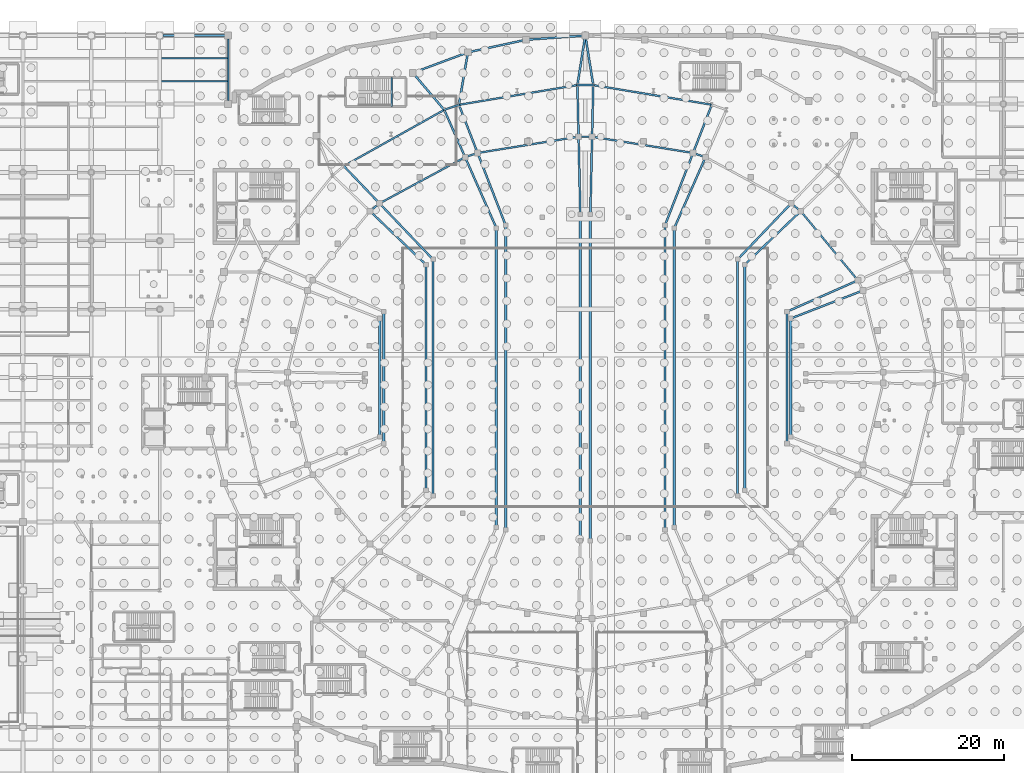
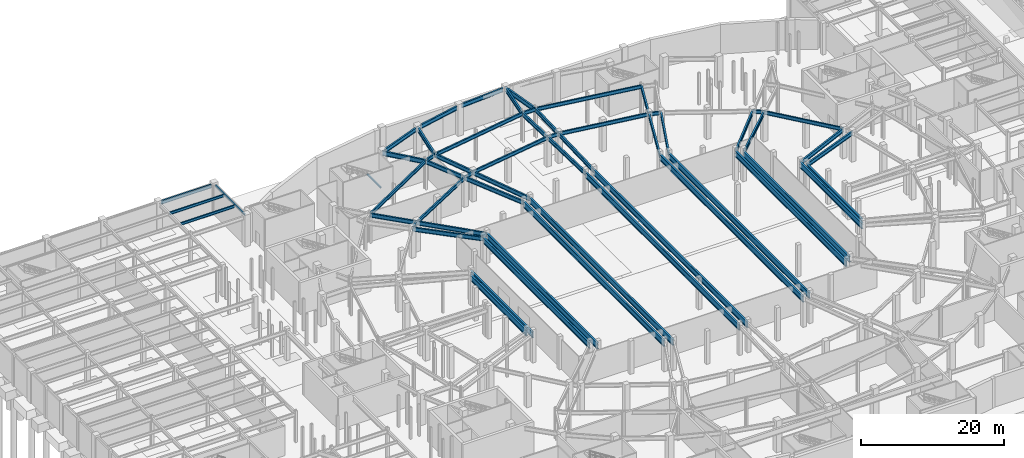
# One storey, part 36 of 56: 58 beams.
"""IFC4 building model written with IfcOpenShell, lengths in metres."""

import ifcopenshell
import ifcopenshell.guid

model = None  # the IFC model being written
_history = None  # IfcOwnerHistory: only IFC2X3 demands one
_inside = {}  # id of a spatial element -> (the spatial element, [elements in it])
_under = {}  # id of a project, library or spatial element -> (it, [spatial elements below it])
_declared = {}  # id of a project -> (the project, [libraries it declares])
_typed = {}  # id of a type object -> (the type object, [elements of that type])
_made_of = {}  # id of a material, layer set ... -> (it, [elements and type objects made of it])


def new_model(schema):
    """Start an empty IFC model of exactly this schema.

    Asked for "IFC4X3", IfcOpenShell would pick the latest addendum, in which some entities
    have other attributes; the version numbers below select the first issue.
    IFC2X3 requires an IfcOwnerHistory on every rooted entity: one is made here for all.
    """
    global model, _history
    if schema == "IFC4X3":
        model = ifcopenshell.file(schema_version=(4, 3, 0, 0))
    else:
        model = ifcopenshell.file(schema=schema)
    _inside.clear()
    _under.clear()
    _declared.clear()
    _typed.clear()
    _made_of.clear()
    _history = None
    if model.schema == "IFC2X3":
        org = make("IfcOrganization", Name="unknown")
        user = make(
            "IfcPersonAndOrganization",
            ThePerson=make("IfcPerson", FamilyName="unknown"),
            TheOrganization=org,
        )
        app = make(
            "IfcApplication",
            ApplicationDeveloper=org,
            Version="unknown",
            ApplicationFullName="unknown",
            ApplicationIdentifier="unknown",
        )
        _history = make(
            "IfcOwnerHistory",
            OwningUser=user,
            OwningApplication=app,
            ChangeAction="ADDED",
            CreationDate=0,
        )
    return model


def make(cls, **values):
    """One entity of the class cls with the attributes given. An attribute that is None is left unset."""
    return model.create_entity(
        cls, **{name: value for name, value in values.items() if value is not None}
    )


def rooted(cls, **values):
    """An entity with a GlobalId (a new one), such as an element, a storey or a relation."""
    return make(cls, GlobalId=ifcopenshell.guid.new(), OwnerHistory=_history, **values)


def si_unit(unit_type, name, prefix=None):
    """IfcSIUnit, for example si_unit("LENGTHUNIT", "METRE", prefix="MILLI")."""
    return make("IfcSIUnit", UnitType=unit_type, Prefix=prefix, Name=name)


def assignment(units):
    """IfcUnitAssignment: the units of a project."""
    return None if units is None else make("IfcUnitAssignment", Units=units)


def point(xyz):
    """IfcCartesianPoint."""
    return None if xyz is None else make("IfcCartesianPoint", Coordinates=xyz)


def direction(xyz):
    """IfcDirection."""
    return None if xyz is None else make("IfcDirection", DirectionRatios=xyz)


def frame(location, z_axis=None, x_axis=None):
    """IfcAxis2Placement3D, a coordinate frame: its origin and axes. An axis left out is left unset."""
    return make(
        "IfcAxis2Placement3D",
        Location=point(location),
        Axis=direction(z_axis),
        RefDirection=direction(x_axis),
    )


def frame_2d(location, x_axis=None):
    """IfcAxis2Placement2D, a coordinate frame in the plane: its origin and x axis."""
    return make(
        "IfcAxis2Placement2D", Location=point(location), RefDirection=direction(x_axis)
    )


def origin():
    """The frame at (0, 0, 0) with its axes left unset."""
    return frame((0.0, 0.0, 0.0))


def origin_2d():
    """The frame at (0, 0) in the plane with its x axis left unset."""
    return frame_2d((0.0, 0.0))


def place(relative_to, where):
    """IfcLocalPlacement: puts the frame where relative to a parent placement (None: the world)."""
    return make(
        "IfcLocalPlacement", PlacementRelTo=relative_to, RelativePlacement=where
    )


def context(
    kind, dimensions, precision=None, world=None, true_north=None, identifier=None
):
    """IfcGeometricRepresentationContext, for example the 3D "Model" context."""
    return make(
        "IfcGeometricRepresentationContext",
        ContextIdentifier=identifier,
        ContextType=kind,
        CoordinateSpaceDimension=dimensions,
        Precision=precision,
        WorldCoordinateSystem=world,
        TrueNorth=true_north,
    )


def subcontext(parent, identifier, kind, view, scale=None):
    """IfcGeometricRepresentationSubContext, for example "Body" below "Model"."""
    return make(
        "IfcGeometricRepresentationSubContext",
        ContextIdentifier=identifier,
        ContextType=kind,
        ParentContext=parent,
        TargetScale=scale,
        TargetView=view,
    )


def project(units=None, contexts=None):
    """IfcProject with its units and contexts."""
    return rooted(
        "IfcProject",
        Name="project",
        RepresentationContexts=contexts,
        UnitsInContext=assignment(units),
    )


def spatial(cls, under=None, at=None, **own):
    """A site, building, storey or space (cls), placed at a placement, below another one or the project."""
    s = rooted(cls, ObjectPlacement=at, **own)
    if under is not None:
        _under.setdefault(under.id(), (under, []))[1].append(s)
    return s


def profile(cls, at=None, kind="AREA", **sizes):
    """A parametric profile (cls). Its sizes go by their IFC names, for example OverallWidth=200.0."""
    return make(cls, ProfileType=kind, Position=at, **sizes)


def hollow_rectangle(**sizes):
    """IfcRectangleHollowProfileDef."""
    return profile("IfcRectangleHollowProfileDef", **sizes)


def i_section(**sizes):
    """IfcIShapeProfileDef."""
    return profile("IfcIShapeProfileDef", **sizes)


def extrude(swept, where, along, depth):
    """IfcExtrudedAreaSolid: the profile swept, set in the frame where, extruded along a direction by depth."""
    return make(
        "IfcExtrudedAreaSolid",
        SweptArea=swept,
        Position=where,
        ExtrudedDirection=direction(along),
        Depth=depth,
    )


def shape(context_of_items, identifier, shape_type, items):
    """IfcShapeRepresentation: the items that make up one representation, for example the "Body"."""
    return make(
        "IfcShapeRepresentation",
        ContextOfItems=context_of_items,
        RepresentationIdentifier=identifier,
        RepresentationType=shape_type,
        Items=items,
    )


def material(Name=None, Category=None):
    """IfcMaterial."""
    return make("IfcMaterial", Name=Name, Category=Category)


def material_profile(
    of_material, cross_section, Name=None, Category=None, Priority=None
):
    """IfcMaterialProfile: a cross section and its material."""
    return make(
        "IfcMaterialProfile",
        Name=Name,
        Material=of_material,
        Profile=cross_section,
        Priority=Priority,
        Category=Category,
    )


def profile_set(profiles, Name=None, composite=None):
    """IfcMaterialProfileSet."""
    return make(
        "IfcMaterialProfileSet",
        Name=Name,
        MaterialProfiles=profiles,
        CompositeProfile=composite,
    )


def made_of(thing, what):
    """Note that an element or type object is made of a material, layer set ...; save() writes the relation."""
    if what is not None:
        _made_of.setdefault(what.id(), (what, []))[1].append(thing)
    return thing


def type_object(cls, material=None, **own):
    """A type object (cls), such as IfcWallType, which elements share."""
    return made_of(rooted(cls, **own), material)


def element(
    cls,
    number,
    at=None,
    inside=None,
    cuts=None,
    type_object=None,
    material=None,
    context=None,
    identifier="Body",
    shape_type=None,
    held_by="IfcProductDefinitionShape",
    body=None,
    shapes=None,
    **own,
):
    """One element of the class cls, such as IfcWall. Its Tag is "e" and its number.

    at: its placement. inside: the storey or other place that contains it. cuts: it is an
    opening in that element (IfcRelVoidsElement). A single representation is given by context,
    identifier, shape_type and body (its items); several are given by shapes. held_by: the class
    of the entity that holds the representations. save() writes the other relations.
    """
    e = rooted(cls, Tag="e%d" % number, ObjectPlacement=at, **own)
    if body is not None:
        shapes = [shape(context, identifier, shape_type, body)]
    if shapes is not None:
        e.Representation = make(held_by, Representations=shapes)
    if inside is not None:
        _inside.setdefault(inside.id(), (inside, []))[1].append(e)
    if cuts is not None:
        rooted(
            "IfcRelVoidsElement", RelatingBuildingElement=cuts, RelatedOpeningElement=e
        )
    if type_object is not None:
        _typed.setdefault(type_object.id(), (type_object, []))[1].append(e)
    return made_of(e, material)


def aggregate(whole, parts):
    """IfcRelAggregates: a whole, such as a stair, and the parts it consists of."""
    return rooted("IfcRelAggregates", RelatingObject=whole, RelatedObjects=parts)


def save(model, path):
    """Write the relations noted so far, then the file.

    IfcRelAggregates (storeys below a building ...), IfcRelContainedInSpatialStructure (elements
    in a storey), IfcRelDefinesByType, IfcRelAssociatesMaterial and IfcRelDeclares: one each for
    every whole, place, type object, material and project.
    """
    for whole, parts in _under.values():
        aggregate(whole, parts)
    for where, things in _inside.values():
        rooted(
            "IfcRelContainedInSpatialStructure",
            RelatedElements=things,
            RelatingStructure=where,
        )
    for kind, things in _typed.values():
        rooted("IfcRelDefinesByType", RelatedObjects=things, RelatingType=kind)
    for what, things in _made_of.values():
        rooted("IfcRelAssociatesMaterial", RelatedObjects=things, RelatingMaterial=what)
    for by, libraries in _declared.values():
        rooted("IfcRelDeclares", RelatingContext=by, RelatedDefinitions=libraries)
    model.write(path)


model = new_model("IFC4")

# Units and contexts
model_context = context("Model", 3, precision=1e-05, world=origin(), true_north=direction((0.0, 1.0)))
body_context = subcontext(model_context, "Body", "Model", "MODEL_VIEW")
ifc_project = project(units=[si_unit("LENGTHUNIT", "METRE"), si_unit("AREAUNIT", "SQUARE_METRE"), si_unit("VOLUMEUNIT", "CUBIC_METRE"), si_unit("PLANEANGLEUNIT", "RADIAN"), si_unit("MASSUNIT", "GRAM", prefix="KILO")], contexts=[model_context])

# Site, building, storey
site_placement = place(None, origin())
site = spatial("IfcSite", under=ifc_project, at=site_placement, CompositionType="ELEMENT")
building_placement = place(site_placement, origin())
building = spatial("IfcBuilding", under=site, at=building_placement, Name="Glasvene Arena", CompositionType="ELEMENT")
storey_placement = place(building_placement, frame((0.0, 0.0, -5.39990234375)))
storey = spatial("IfcBuildingStorey", under=building, at=storey_placement, Name="B1", CompositionType="ELEMENT", Elevation=-5.39990234375)

# Beams
ifc_material = material(Name="Steel S355J2", Category="steel")
ifc_material_profile_1 = material_profile(ifc_material, i_section(OverallWidth=0.300048828125, OverallDepth=1.0, WebThickness=0.0166015625, FlangeThickness=0.031005859375, FilletRadius=0.030029296875, at=origin_2d()), Name="UKB 1016x305x272")
ifc_profile_set_1 = profile_set([ifc_material_profile_1], Name="Steel S355J2")
beam_type_1 = type_object("IfcBeamType", Name="BM-GIRD-1016", PredefinedType="BEAM", material=ifc_profile_set_1)
beam_1_placement = place(storey_placement, frame((119.037353515625, 80.77490234375, 4.539794921875), z_axis=(0.0, -1.0, 0.0), x_axis=(1.0, 0.0, 0.0)))
element("IfcBeam", 1, at=beam_1_placement, inside=storey, type_object=beam_type_1, Name="Event floor primary girder B1-02", PredefinedType="BEAM", context=body_context, shape_type="SweptSolid", body=[
    extrude(i_section(OverallWidth=0.300048828125, OverallDepth=1.0, WebThickness=0.0166015625, FlangeThickness=0.031005859375, FilletRadius=0.030029296875, at=origin_2d()), origin(), (0.0, 0.0, 1.0), 15.5498046875),
])
beam_2_placement = place(storey_placement, frame((118.53369140625, 81.67626953125, 4.539794921875), z_axis=(0.0, -1.0, 0.0), x_axis=(1.0, 0.0, 0.0)))
element("IfcBeam", 2, at=beam_2_placement, inside=storey, type_object=beam_type_1, Name="Event floor primary girder B1-03", PredefinedType="BEAM", context=body_context, shape_type="SweptSolid", body=[
    extrude(i_section(OverallWidth=0.300048828125, OverallDepth=1.0, WebThickness=0.0166015625, FlangeThickness=0.031005859375, FilletRadius=0.030029296875, at=origin_2d()), origin(), (0.0, 0.0, 1.0), 17.3525390625),
])
beam_3_placement = place(storey_placement, frame((112.966064453125, 87.85400390625, 4.539794921875), z_axis=(0.0, -1.0, 0.0), x_axis=(1.0, 0.0, 0.0)))
element("IfcBeam", 3, at=beam_3_placement, inside=storey, type_object=beam_type_1, Name="Event floor primary girder B1-04", PredefinedType="BEAM", context=body_context, shape_type="SweptSolid", body=[
    extrude(i_section(OverallWidth=0.300048828125, OverallDepth=1.0, WebThickness=0.0166015625, FlangeThickness=0.031005859375, FilletRadius=0.030029296875, at=origin_2d()), origin(), (0.0, 0.0, 1.0), 29.7080078125),
])
beam_4_placement = place(storey_placement, frame((112.03564453125, 88.543701171875, 4.539794921875), z_axis=(0.0, -1.0, 0.0), x_axis=(1.0, 0.0, 0.0)))
element("IfcBeam", 4, at=beam_4_placement, inside=storey, type_object=beam_type_1, Name="Event floor primary girder B1-05", PredefinedType="BEAM", context=body_context, shape_type="SweptSolid", body=[
    extrude(i_section(OverallWidth=0.300048828125, OverallDepth=1.0, WebThickness=0.0166015625, FlangeThickness=0.031005859375, FilletRadius=0.030029296875, at=origin_2d()), origin(), (0.0, 0.0, 1.0), 31.08740234375),
])
beam_5_placement = place(storey_placement, frame((103.702880859375, 92.671630859375, 4.539794921875), z_axis=(0.0, -1.0, 0.0), x_axis=(1.0, 0.0, 0.0)))
element("IfcBeam", 5, at=beam_5_placement, inside=storey, type_object=beam_type_1, Name="Event floor primary girder B1-06", PredefinedType="BEAM", context=body_context, shape_type="SweptSolid", body=[
    extrude(i_section(OverallWidth=0.300048828125, OverallDepth=1.0, WebThickness=0.0166015625, FlangeThickness=0.031005859375, FilletRadius=0.030029296875, at=origin_2d()), origin(), (0.0, 0.0, 1.0), 39.34326171875),
])
beam_6_placement = place(storey_placement, frame((102.487060546875, 93.044921875, 4.539794921875), z_axis=(0.0, -1.0, 0.0), x_axis=(1.0, 0.0, 0.0)))
element("IfcBeam", 6, at=beam_6_placement, inside=storey, type_object=beam_type_1, Name="Event floor primary girder B1-07", PredefinedType="BEAM", context=body_context, shape_type="SweptSolid", body=[
    extrude(i_section(OverallWidth=0.300048828125, OverallDepth=1.0, WebThickness=0.0166015625, FlangeThickness=0.031005859375, FilletRadius=0.030029296875, at=origin_2d()), origin(), (0.0, 0.0, 1.0), 40.08984375),
])
for number, where, z_axis, x_axis, name in (
    (7, (92.657958984375, 94.494384765625, 4.539794921875), (0.0, -1.0, 0.0), (1.0, 0.0, 0.0), "Event floor primary girder B1-08"),
    (8, (91.342041015625, 94.494384765625, 4.539794921875), (0.0, -1.0, 0.0), (1.0, 0.0, 0.0), "Event floor primary girder B1-09"),
):
    element("IfcBeam", number, at=place(storey_placement, frame(where, z_axis=z_axis, x_axis=x_axis)), inside=storey, type_object=beam_type_1, Name=name, PredefinedType="BEAM", context=body_context, shape_type="SweptSolid", body=[
        extrude(i_section(OverallWidth=0.300048828125, OverallDepth=1.0, WebThickness=0.0166015625, FlangeThickness=0.031005859375, FilletRadius=0.030029296875, at=origin_2d()), origin(), (0.0, 0.0, 1.0), 42.98876953125),
    ])
beam_7_placement = place(storey_placement, frame((81.512939453125, 93.044921875, 4.539794921875), z_axis=(0.0, -1.0, 0.0), x_axis=(1.0, 0.0, 0.0)))
element("IfcBeam", 9, at=beam_7_placement, inside=storey, type_object=beam_type_1, Name="Event floor primary girder B1-10", PredefinedType="BEAM", context=body_context, shape_type="SweptSolid", body=[
    extrude(i_section(OverallWidth=0.300048828125, OverallDepth=1.0, WebThickness=0.0166015625, FlangeThickness=0.031005859375, FilletRadius=0.030029296875, at=origin_2d()), origin(), (0.0, 0.0, 1.0), 40.08984375),
])
beam_8_placement = place(storey_placement, frame((80.297119140625, 92.671630859375, 4.539794921875), z_axis=(0.0, -1.0, 0.0), x_axis=(1.0, 0.0, 0.0)))
element("IfcBeam", 10, at=beam_8_placement, inside=storey, type_object=beam_type_1, Name="Event floor primary girder B1-11", PredefinedType="BEAM", context=body_context, shape_type="SweptSolid", body=[
    extrude(i_section(OverallWidth=0.300048828125, OverallDepth=1.0, WebThickness=0.0166015625, FlangeThickness=0.031005859375, FilletRadius=0.030029296875, at=origin_2d()), origin(), (0.0, 0.0, 1.0), 39.34326171875),
])
beam_9_placement = place(storey_placement, frame((71.96435546875, 88.543701171875, 4.539794921875), z_axis=(0.0, -1.0, 0.0), x_axis=(1.0, 0.0, 0.0)))
element("IfcBeam", 11, at=beam_9_placement, inside=storey, type_object=beam_type_1, Name="Event floor primary girder B1-12", PredefinedType="BEAM", context=body_context, shape_type="SweptSolid", body=[
    extrude(i_section(OverallWidth=0.300048828125, OverallDepth=1.0, WebThickness=0.0166015625, FlangeThickness=0.031005859375, FilletRadius=0.030029296875, at=origin_2d()), origin(), (0.0, 0.0, 1.0), 31.08740234375),
])
beam_10_placement = place(storey_placement, frame((71.033935546875, 87.85400390625, 4.539794921875), z_axis=(0.0, -1.0, 0.0), x_axis=(1.0, 0.0, 0.0)))
element("IfcBeam", 12, at=beam_10_placement, inside=storey, type_object=beam_type_1, Name="Event floor primary girder B1-13", PredefinedType="BEAM", context=body_context, shape_type="SweptSolid", body=[
    extrude(i_section(OverallWidth=0.300048828125, OverallDepth=1.0, WebThickness=0.0166015625, FlangeThickness=0.031005859375, FilletRadius=0.030029296875, at=origin_2d()), origin(), (0.0, 0.0, 1.0), 29.7080078125),
])
beam_11_placement = place(storey_placement, frame((65.46630859375, 81.67626953125, 4.539794921875), z_axis=(0.0, -1.0, 0.0), x_axis=(1.0, 0.0, 0.0)))
element("IfcBeam", 13, at=beam_11_placement, inside=storey, type_object=beam_type_1, Name="Event floor primary girder B1-14", PredefinedType="BEAM", context=body_context, shape_type="SweptSolid", body=[
    extrude(i_section(OverallWidth=0.300048828125, OverallDepth=1.0, WebThickness=0.0166015625, FlangeThickness=0.031005859375, FilletRadius=0.030029296875, at=origin_2d()), origin(), (0.0, 0.0, 1.0), 17.3525390625),
])
beam_12_placement = place(storey_placement, frame((64.962646484375, 80.77490234375, 4.539794921875), z_axis=(0.0, -1.0, 0.0), x_axis=(1.0, 0.0, 0.0)))
element("IfcBeam", 14, at=beam_12_placement, inside=storey, type_object=beam_type_1, Name="Event floor primary girder B1-15", PredefinedType="BEAM", context=body_context, shape_type="SweptSolid", body=[
    extrude(i_section(OverallWidth=0.300048828125, OverallDepth=1.0, WebThickness=0.0166015625, FlangeThickness=0.031005859375, FilletRadius=0.030029296875, at=origin_2d()), origin(), (0.0, 0.0, 1.0), 15.5498046875),
])
ifc_material_profile_2 = material_profile(ifc_material, i_section(OverallWidth=0.228271484375, OverallDepth=0.607666015625, WebThickness=0.010986328125, FlangeThickness=0.017333984375, FilletRadius=0.0126953125, at=origin_2d()), Name="UKB 610x229x113")
ifc_profile_set_2 = profile_set([ifc_material_profile_2], Name="Steel S355J2")
beam_type_2 = type_object("IfcBeamType", Name="BM-GIRD-610", PredefinedType="BEAM", material=ifc_profile_set_2)
beam_13_placement = place(storey_placement, frame((36.445068359375, 118.0, 4.736083984375), z_axis=(1.0, 0.0, 0.0), x_axis=(0.0, 1.0, 0.0)))
element("IfcBeam", 15, at=beam_13_placement, inside=storey, type_object=beam_type_2, Name="Primary X girder B1-0080", PredefinedType="BEAM", context=body_context, shape_type="SweptSolid", body=[
    extrude(i_section(OverallWidth=0.228271484375, OverallDepth=0.607666015625, WebThickness=0.010986328125, FlangeThickness=0.017333984375, FilletRadius=0.0126953125, at=origin_2d()), origin(), (0.0, 0.0, 1.0), 8.10986328125),
])
beam_14_placement = place(storey_placement, frame((127.866455078125, 85.79248046875, 4.73486328125), z_axis=(-0.636971685607, 0.770887197802, 0.0), x_axis=(-0.770887197802, -0.636971685607, 0.0)))
element("IfcBeam", 16, at=beam_14_placement, inside=storey, type_object=beam_type_2, Name="Mid-bowl ring girder B1-03", PredefinedType="BEAM", context=body_context, shape_type="SweptSolid", body=[
    extrude(i_section(OverallWidth=0.228271484375, OverallDepth=0.607666015625, WebThickness=0.010986328125, FlangeThickness=0.017333984375, FilletRadius=0.0126953125, at=origin_2d()), origin(), (0.0, 0.0, 1.0), 11.8154296875),
])
beam_15_placement = place(storey_placement, frame((120.34033203125, 94.90087890625, 4.73486328125), z_axis=(-0.77751541262, 0.628863882839, 0.0), x_axis=(-0.628863882839, -0.77751541262, 0.0)))
element("IfcBeam", 17, at=beam_15_placement, inside=storey, type_object=beam_type_2, Name="Mid-bowl ring girder B1-04", PredefinedType="BEAM", context=body_context, shape_type="SweptSolid", body=[
    extrude(i_section(OverallWidth=0.228271484375, OverallDepth=0.607666015625, WebThickness=0.010986328125, FlangeThickness=0.017333984375, FilletRadius=0.0126953125, at=origin_2d()), origin(), (0.0, 0.0, 1.0), 1.61767578125),
])
beam_16_placement = place(storey_placement, frame((107.819091796875, 102.004150390625, 4.73486328125), z_axis=(-0.948203248213, 0.317664288326, 0.0), x_axis=(-0.317664288326, -0.948203248213, 0.0)))
element("IfcBeam", 18, at=beam_16_placement, inside=storey, type_object=beam_type_2, Name="Mid-bowl ring girder B1-06", PredefinedType="BEAM", context=body_context, shape_type="SweptSolid", body=[
    extrude(i_section(OverallWidth=0.228271484375, OverallDepth=0.607666015625, WebThickness=0.010986328125, FlangeThickness=0.017333984375, FilletRadius=0.0126953125, at=origin_2d()), origin(), (0.0, 0.0, 1.0), 1.733154296875),
])
beam_17_placement = place(storey_placement, frame((108.634765625, 108.89453125, 4.73486328125), z_axis=(-0.986425216298, 0.164211122194, 0.0), x_axis=(-0.164211122194, -0.986425216298, 0.0)))
element("IfcBeam", 19, at=beam_17_placement, inside=storey, type_object=beam_type_2, Name="Concourse inner ring girder B1-07", PredefinedType="BEAM", context=body_context, shape_type="SweptSolid", body=[
    extrude(i_section(OverallWidth=0.228271484375, OverallDepth=0.607666015625, WebThickness=0.010986328125, FlangeThickness=0.017333984375, FilletRadius=0.0126953125, at=origin_2d()), origin(), (0.0, 0.0, 1.0), 15.8056640625),
])
beam_18_placement = place(storey_placement, frame((106.17578125, 102.5546875, 4.73486328125), z_axis=(-0.987308283351, 0.15881547036, 0.0), x_axis=(-0.15881547036, -0.987308283351, 0.0)))
element("IfcBeam", 20, at=beam_18_placement, inside=storey, type_object=beam_type_2, Name="Mid-bowl ring girder B1-07", PredefinedType="BEAM", context=body_context, shape_type="SweptSolid", body=[
    extrude(i_section(OverallWidth=0.228271484375, OverallDepth=0.607666015625, WebThickness=0.010986328125, FlangeThickness=0.017333984375, FilletRadius=0.0126953125, at=origin_2d()), origin(), (0.0, 0.0, 1.0), 13.457275390625),
])
beam_19_placement = place(storey_placement, frame((93.043701171875, 111.489990234375, 4.73486328125), z_axis=(-1.0, 0.0, 0.0), x_axis=(0.0, -1.0, 0.0)))
element("IfcBeam", 21, at=beam_19_placement, inside=storey, type_object=beam_type_2, Name="Concourse inner ring girder B1-08", PredefinedType="BEAM", context=body_context, shape_type="SweptSolid", body=[
    extrude(i_section(OverallWidth=0.228271484375, OverallDepth=0.607666015625, WebThickness=0.010986328125, FlangeThickness=0.017333984375, FilletRadius=0.0126953125, at=origin_2d()), origin(), (0.0, 0.0, 1.0), 2.08740234375),
])
beam_20_placement = place(storey_placement, frame((92.889404296875, 104.69189453125, 4.73486328125), z_axis=(-1.0, 0.0, 0.0), x_axis=(0.0, -1.0, 0.0)))
element("IfcBeam", 22, at=beam_20_placement, inside=storey, type_object=beam_type_2, Name="Mid-bowl ring girder B1-08", PredefinedType="BEAM", context=body_context, shape_type="SweptSolid", body=[
    extrude(i_section(OverallWidth=0.228271484375, OverallDepth=0.607666015625, WebThickness=0.010986328125, FlangeThickness=0.017333984375, FilletRadius=0.0126953125, at=origin_2d()), origin(), (0.0, 0.0, 1.0), 1.77880859375),
])
beam_21_placement = place(storey_placement, frame((90.956298828125, 111.489990234375, 4.73486328125), z_axis=(-0.986425216298, -0.164211122194, 0.0), x_axis=(0.164211122194, -0.986425216298, 0.0)))
element("IfcBeam", 23, at=beam_21_placement, inside=storey, type_object=beam_type_2, Name="Concourse inner ring girder B1-09", PredefinedType="BEAM", context=body_context, shape_type="SweptSolid", body=[
    extrude(i_section(OverallWidth=0.228271484375, OverallDepth=0.607666015625, WebThickness=0.010986328125, FlangeThickness=0.017333984375, FilletRadius=0.0126953125, at=origin_2d()), origin(), (0.0, 0.0, 1.0), 15.8056640625),
])
beam_22_placement = place(storey_placement, frame((91.110595703125, 104.69189453125, 4.73486328125), z_axis=(-0.987308283351, -0.15881547036, 0.0), x_axis=(0.15881547036, -0.987308283351, 0.0)))
element("IfcBeam", 24, at=beam_22_placement, inside=storey, type_object=beam_type_2, Name="Mid-bowl ring girder B1-09", PredefinedType="BEAM", context=body_context, shape_type="SweptSolid", body=[
    extrude(i_section(OverallWidth=0.228271484375, OverallDepth=0.607666015625, WebThickness=0.010986328125, FlangeThickness=0.017333984375, FilletRadius=0.0126953125, at=origin_2d()), origin(), (0.0, 0.0, 1.0), 13.457275390625),
])
beam_23_placement = place(storey_placement, frame((75.365234375, 108.89453125, 4.73486328125), z_axis=(-0.944798184006, -0.327652852114, 0.0), x_axis=(0.327652852114, -0.944798184006, 0.0)))
element("IfcBeam", 25, at=beam_23_placement, inside=storey, type_object=beam_type_2, Name="Concourse inner ring girder B1-10", PredefinedType="BEAM", context=body_context, shape_type="SweptSolid", body=[
    extrude(i_section(OverallWidth=0.228271484375, OverallDepth=0.607666015625, WebThickness=0.010986328125, FlangeThickness=0.017333984375, FilletRadius=0.0126953125, at=origin_2d()), origin(), (0.0, 0.0, 1.0), 2.040771484375),
])
beam_24_placement = place(storey_placement, frame((77.82421875, 102.5546875, 4.73486328125), z_axis=(-0.948203248213, -0.317664288326, 0.0), x_axis=(0.317664288326, -0.948203248213, 0.0)))
element("IfcBeam", 26, at=beam_24_placement, inside=storey, type_object=beam_type_2, Name="Mid-bowl ring girder B1-10", PredefinedType="BEAM", context=body_context, shape_type="SweptSolid", body=[
    extrude(i_section(OverallWidth=0.228271484375, OverallDepth=0.607666015625, WebThickness=0.010986328125, FlangeThickness=0.017333984375, FilletRadius=0.0126953125, at=origin_2d()), origin(), (0.0, 0.0, 1.0), 1.733154296875),
])
beam_25_placement = place(storey_placement, frame((73.43701171875, 108.225830078125, 4.73486328125), z_axis=(-0.87279341778, -0.488089796943, 0.0), x_axis=(0.488089796943, -0.87279341778, 0.0)))
element("IfcBeam", 27, at=beam_25_placement, inside=storey, type_object=beam_type_2, Name="Concourse inner ring girder B1-11", PredefinedType="BEAM", context=body_context, shape_type="SweptSolid", body=[
    extrude(i_section(OverallWidth=0.228271484375, OverallDepth=0.607666015625, WebThickness=0.010986328125, FlangeThickness=0.017333984375, FilletRadius=0.0126953125, at=origin_2d()), origin(), (0.0, 0.0, 1.0), 15.14404296875),
])
beam_26_placement = place(storey_placement, frame((76.180908203125, 102.004150390625, 4.73486328125), z_axis=(-0.879784979892, -0.475371843042, 0.0), x_axis=(0.475371843042, -0.879784979892, 0.0)))
element("IfcBeam", 28, at=beam_26_placement, inside=storey, type_object=beam_type_2, Name="Mid-bowl ring girder B1-11", PredefinedType="BEAM", context=body_context, shape_type="SweptSolid", body=[
    extrude(i_section(OverallWidth=0.228271484375, OverallDepth=0.607666015625, WebThickness=0.010986328125, FlangeThickness=0.017333984375, FilletRadius=0.0126953125, at=origin_2d()), origin(), (0.0, 0.0, 1.0), 12.802490234375),
])
beam_27_placement = place(storey_placement, frame((64.91748046875, 95.918212890625, 4.73486328125), z_axis=(-0.77751541262, -0.628863882839, 0.0), x_axis=(0.628863882839, -0.77751541262, 0.0)))
element("IfcBeam", 29, at=beam_27_placement, inside=storey, type_object=beam_type_2, Name="Mid-bowl ring girder B1-12", PredefinedType="BEAM", context=body_context, shape_type="SweptSolid", body=[
    extrude(i_section(OverallWidth=0.228271484375, OverallDepth=0.607666015625, WebThickness=0.010986328125, FlangeThickness=0.017333984375, FilletRadius=0.0126953125, at=origin_2d()), origin(), (0.0, 0.0, 1.0), 1.61767578125),
])
ifc_material_profile_3 = material_profile(ifc_material, i_section(OverallWidth=0.253662109375, OverallDepth=0.68359375, WebThickness=0.012451171875, FlangeThickness=0.01904296875, FilletRadius=0.01513671875, at=origin_2d()), Name="UKB 686x254x140")
ifc_profile_set_3 = profile_set([ifc_material_profile_3], Name="Steel S355J2")
beam_type_3 = type_object("IfcBeamType", Name="BM-GIRD-686", PredefinedType="BEAM", material=ifc_profile_set_3)
beam_28_placement = place(storey_placement, frame((91.5810546875, 117.97021484375, 4.6982421875), z_axis=(-0.997501181168, -0.070649795247, 0.0), x_axis=(0.070649795247, -0.997501181168, 0.0)))
element("IfcBeam", 30, at=beam_28_placement, inside=storey, type_object=beam_type_3, Name="Bowl ring chord beam B1-11", PredefinedType="BEAM", context=body_context, shape_type="SweptSolid", body=[
    extrude(i_section(OverallWidth=0.253662109375, OverallDepth=0.68359375, WebThickness=0.012451171875, FlangeThickness=0.01904296875, FilletRadius=0.01513671875, at=origin_2d()), origin(), (0.0, 0.0, 1.0), 7.001220703125),
])
beam_29_placement = place(storey_placement, frame((83.767822265625, 117.357421875, 4.6982421875), z_axis=(-0.977438814508, -0.211218758382, 0.0), x_axis=(0.211218758382, -0.977438814508, 0.0)))
element("IfcBeam", 31, at=beam_29_placement, inside=storey, type_object=beam_type_3, Name="Bowl ring chord beam B1-12", PredefinedType="BEAM", context=body_context, shape_type="SweptSolid", body=[
    extrude(i_section(OverallWidth=0.253662109375, OverallDepth=0.68359375, WebThickness=0.012451171875, FlangeThickness=0.01904296875, FilletRadius=0.01513671875, at=origin_2d()), origin(), (0.0, 0.0, 1.0), 6.96533203125),
])
beam_30_placement = place(storey_placement, frame((76.15576171875, 115.65087890625, 4.6982421875), z_axis=(-0.937003971107, -0.349318705668, 0.0), x_axis=(0.349318705668, -0.937003971107, 0.0)))
element("IfcBeam", 32, at=beam_30_placement, inside=storey, type_object=beam_type_3, Name="Bowl ring chord beam B1-13", PredefinedType="BEAM", context=body_context, shape_type="SweptSolid", body=[
    extrude(i_section(OverallWidth=0.253662109375, OverallDepth=0.68359375, WebThickness=0.012451171875, FlangeThickness=0.01904296875, FilletRadius=0.01513671875, at=origin_2d()), origin(), (0.0, 0.0, 1.0), 6.89599609375),
])
beam_31_placement = place(storey_placement, frame((106.17578125, 102.5546875, 4.697998046875), z_axis=(0.361614477563, 0.932327715783, 0.0), x_axis=(-0.932327715783, 0.361614477563, 0.0)))
element("IfcBeam", 33, at=beam_31_placement, inside=storey, type_object=beam_type_3, Name="Mid-to-rear radial girder B1-07", PredefinedType="BEAM", context=body_context, shape_type="SweptSolid", body=[
    extrude(i_section(OverallWidth=0.253662109375, OverallDepth=0.68359375, WebThickness=0.012451171875, FlangeThickness=0.01904296875, FilletRadius=0.01513671875, at=origin_2d()), origin(), (0.0, 0.0, 1.0), 6.800048828125),
])
for number, where, z_axis, x_axis, name in (
    (34, (92.889404296875, 104.69189453125, 4.697998046875), (0.022691229062, 0.999742520914, 0.0), (-0.999742520914, 0.022691229062, 0.0), "Mid-to-rear radial girder B1-08"),
    (35, (91.110595703125, 104.69189453125, 4.697998046875), (-0.022691229062, 0.999742520914, 0.0), (-0.999742520914, -0.022691229062, 0.0), "Mid-to-rear radial girder B1-09"),
):
    element("IfcBeam", number, at=place(storey_placement, frame(where, z_axis=z_axis, x_axis=x_axis)), inside=storey, type_object=beam_type_3, Name=name, PredefinedType="BEAM", context=body_context, shape_type="SweptSolid", body=[
        extrude(i_section(OverallWidth=0.253662109375, OverallDepth=0.68359375, WebThickness=0.012451171875, FlangeThickness=0.01904296875, FilletRadius=0.01513671875, at=origin_2d()), origin(), (0.0, 0.0, 1.0), 6.7998046875),
    ])
beam_32_placement = place(storey_placement, frame((77.82421875, 102.5546875, 4.697998046875), z_axis=(-0.361614477563, 0.932327715783, 0.0), x_axis=(-0.932327715783, -0.361614477563, 0.0)))
element("IfcBeam", 36, at=beam_32_placement, inside=storey, type_object=beam_type_3, Name="Mid-to-rear radial girder B1-10", PredefinedType="BEAM", context=body_context, shape_type="SweptSolid", body=[
    extrude(i_section(OverallWidth=0.253662109375, OverallDepth=0.68359375, WebThickness=0.012451171875, FlangeThickness=0.01904296875, FilletRadius=0.01513671875, at=origin_2d()), origin(), (0.0, 0.0, 1.0), 6.800048828125),
])
for number, where, z_axis, x_axis, name in (
    (37, (76.180908203125, 102.004150390625, 4.697998046875), (-0.403521754761, 0.914970050567, 0.0), (-0.914970050567, -0.403521754761, 0.0), "Mid-to-rear radial girder B1-11"),
    (38, (64.91748046875, 95.918212890625, 4.697998046875), (-0.690894054314, 0.722956019211, 0.0), (-0.722956019211, -0.690894054314, 0.0), "Mid-to-rear radial girder B1-12"),
):
    element("IfcBeam", number, at=place(storey_placement, frame(where, z_axis=z_axis, x_axis=x_axis)), inside=storey, type_object=beam_type_3, Name=name, PredefinedType="BEAM", context=body_context, shape_type="SweptSolid", body=[
        extrude(i_section(OverallWidth=0.253662109375, OverallDepth=0.68359375, WebThickness=0.012451171875, FlangeThickness=0.01904296875, FilletRadius=0.01513671875, at=origin_2d()), origin(), (0.0, 0.0, 1.0), 6.7998046875),
    ])
beam_33_placement = place(storey_placement, frame((119.037353515625, 80.77490234375, 4.697998046875), z_axis=(0.932327715783, 0.361614477563, 0.0), x_axis=(-0.361614477563, 0.932327715783, 0.0)))
element("IfcBeam", 39, at=beam_33_placement, inside=storey, type_object=beam_type_3, Name="Pitch-to-mid basement girder 02", PredefinedType="BEAM", context=body_context, shape_type="SweptSolid", body=[
    extrude(i_section(OverallWidth=0.253662109375, OverallDepth=0.68359375, WebThickness=0.012451171875, FlangeThickness=0.01904296875, FilletRadius=0.01513671875, at=origin_2d()), origin(), (0.0, 0.0, 1.0), 10.199951171875),
])
beam_34_placement = place(storey_placement, frame((118.53369140625, 81.67626953125, 4.697998046875), z_axis=(0.914960692105, 0.403542974047, 0.0), x_axis=(-0.403542974047, 0.914960692105, 0.0)))
element("IfcBeam", 40, at=beam_34_placement, inside=storey, type_object=beam_type_3, Name="Pitch-to-mid basement girder 03", PredefinedType="BEAM", context=body_context, shape_type="SweptSolid", body=[
    extrude(i_section(OverallWidth=0.253662109375, OverallDepth=0.68359375, WebThickness=0.012451171875, FlangeThickness=0.01904296875, FilletRadius=0.01513671875, at=origin_2d()), origin(), (0.0, 0.0, 1.0), 10.2001953125),
])
beam_35_placement = place(storey_placement, frame((112.966064453125, 87.85400390625, 4.697998046875), z_axis=(0.722973421987, 0.690875843477, 0.0), x_axis=(-0.690875843477, 0.722973421987, 0.0)))
element("IfcBeam", 41, at=beam_35_placement, inside=storey, type_object=beam_type_3, Name="Pitch-to-mid basement girder 04", PredefinedType="BEAM", context=body_context, shape_type="SweptSolid", body=[
    extrude(i_section(OverallWidth=0.253662109375, OverallDepth=0.68359375, WebThickness=0.012451171875, FlangeThickness=0.01904296875, FilletRadius=0.01513671875, at=origin_2d()), origin(), (0.0, 0.0, 1.0), 10.199951171875),
])
beam_36_placement = place(storey_placement, frame((112.03564453125, 88.543701171875, 4.697998046875), z_axis=(0.690863888142, 0.722984846356, 0.0), x_axis=(-0.722984846356, 0.690863888142, 0.0)))
element("IfcBeam", 42, at=beam_36_placement, inside=storey, type_object=beam_type_3, Name="Pitch-to-mid basement girder 05", PredefinedType="BEAM", context=body_context, shape_type="SweptSolid", body=[
    extrude(i_section(OverallWidth=0.253662109375, OverallDepth=0.68359375, WebThickness=0.012451171875, FlangeThickness=0.01904296875, FilletRadius=0.01513671875, at=origin_2d()), origin(), (0.0, 0.0, 1.0), 10.2001953125),
])
beam_37_placement = place(storey_placement, frame((103.702880859375, 92.671630859375, 4.697998046875), z_axis=(0.40355181162, 0.914956794247, 0.0), x_axis=(-0.914956794247, 0.40355181162, 0.0)))
element("IfcBeam", 43, at=beam_37_placement, inside=storey, type_object=beam_type_3, Name="Pitch-to-mid basement girder 06", PredefinedType="BEAM", context=body_context, shape_type="SweptSolid", body=[
    extrude(i_section(OverallWidth=0.253662109375, OverallDepth=0.68359375, WebThickness=0.012451171875, FlangeThickness=0.01904296875, FilletRadius=0.01513671875, at=origin_2d()), origin(), (0.0, 0.0, 1.0), 10.199951171875),
])
for number, where, z_axis, x_axis, name in (
    (44, (102.487060546875, 93.044921875, 4.697998046875), (0.361635282691, 0.932319645998, 0.0), (-0.932319645998, 0.361635282691, 0.0), "Pitch-to-mid basement girder 07"),
    (45, (92.657958984375, 94.494384765625, 4.697998046875), (0.022690414598, 0.9997425394, 0.0), (-0.9997425394, 0.022690414598, 0.0), "Pitch-to-mid basement girder 08"),
    (46, (91.342041015625, 94.494384765625, 4.697998046875), (-0.022690414598, 0.9997425394, 0.0), (-0.9997425394, -0.022690414598, 0.0), "Pitch-to-mid basement girder 09"),
    (47, (81.512939453125, 93.044921875, 4.697998046875), (-0.361635282691, 0.932319645998, 0.0), (-0.932319645998, -0.361635282691, 0.0), "Pitch-to-mid basement girder 10"),
):
    element("IfcBeam", number, at=place(storey_placement, frame(where, z_axis=z_axis, x_axis=x_axis)), inside=storey, type_object=beam_type_3, Name=name, PredefinedType="BEAM", context=body_context, shape_type="SweptSolid", body=[
        extrude(i_section(OverallWidth=0.253662109375, OverallDepth=0.68359375, WebThickness=0.012451171875, FlangeThickness=0.01904296875, FilletRadius=0.01513671875, at=origin_2d()), origin(), (0.0, 0.0, 1.0), 10.2001953125),
    ])
beam_38_placement = place(storey_placement, frame((80.297119140625, 92.671630859375, 4.697998046875), z_axis=(-0.40355181162, 0.914956794247, 0.0), x_axis=(-0.914956794247, -0.40355181162, 0.0)))
element("IfcBeam", 48, at=beam_38_placement, inside=storey, type_object=beam_type_3, Name="Pitch-to-mid basement girder 11", PredefinedType="BEAM", context=body_context, shape_type="SweptSolid", body=[
    extrude(i_section(OverallWidth=0.253662109375, OverallDepth=0.68359375, WebThickness=0.012451171875, FlangeThickness=0.01904296875, FilletRadius=0.01513671875, at=origin_2d()), origin(), (0.0, 0.0, 1.0), 10.199951171875),
])
beam_39_placement = place(storey_placement, frame((71.96435546875, 88.543701171875, 4.697998046875), z_axis=(-0.690863888142, 0.722984846356, 0.0), x_axis=(-0.722984846356, -0.690863888142, 0.0)))
element("IfcBeam", 49, at=beam_39_placement, inside=storey, type_object=beam_type_3, Name="Pitch-to-mid basement girder 12", PredefinedType="BEAM", context=body_context, shape_type="SweptSolid", body=[
    extrude(i_section(OverallWidth=0.253662109375, OverallDepth=0.68359375, WebThickness=0.012451171875, FlangeThickness=0.01904296875, FilletRadius=0.01513671875, at=origin_2d()), origin(), (0.0, 0.0, 1.0), 10.2001953125),
])
beam_40_placement = place(storey_placement, frame((71.033935546875, 87.85400390625, 4.697998046875), z_axis=(-0.722973421987, 0.690875843477, 0.0), x_axis=(-0.690875843477, -0.722973421987, 0.0)))
element("IfcBeam", 50, at=beam_40_placement, inside=storey, type_object=beam_type_3, Name="Pitch-to-mid basement girder 13", PredefinedType="BEAM", context=body_context, shape_type="SweptSolid", body=[
    extrude(i_section(OverallWidth=0.253662109375, OverallDepth=0.68359375, WebThickness=0.012451171875, FlangeThickness=0.01904296875, FilletRadius=0.01513671875, at=origin_2d()), origin(), (0.0, 0.0, 1.0), 10.199951171875),
])
ifc_material_profile_4 = material_profile(ifc_material, i_section(OverallWidth=0.2666015625, OverallDepth=0.76220703125, WebThickness=0.014404296875, FlangeThickness=0.021484375, FilletRadius=0.0166015625, at=origin_2d()), Name="UKB 762x267x173")
ifc_profile_set_4 = profile_set([ifc_material_profile_4], Name="Steel S355J2")
beam_type_4 = type_object("IfcBeamType", Name="BM-GIRD-762", PredefinedType="BEAM", material=ifc_profile_set_4)
for number, where, z_axis, x_axis, name in (
    (51, (93.043701171875, 111.489990234375, 4.65869140625), (-0.158300997848, 0.987390902369, 0.0), (-0.987390902369, -0.158300997848, 0.0), "Radial concourse girder B1-08"),
    (52, (90.956298828125, 111.489990234375, 4.65869140625), (0.158300997848, 0.987390902369, 0.0), (-0.987390902369, 0.158300997848, 0.0), "Radial concourse girder B1-09"),
):
    element("IfcBeam", number, at=place(storey_placement, frame(where, z_axis=z_axis, x_axis=x_axis)), inside=storey, type_object=beam_type_4, Name=name, PredefinedType="BEAM", context=body_context, shape_type="SweptSolid", body=[
        extrude(i_section(OverallWidth=0.2666015625, OverallDepth=0.76220703125, WebThickness=0.014404296875, FlangeThickness=0.021484375, FilletRadius=0.0166015625, at=origin_2d()), origin(), (0.0, 0.0, 1.0), 6.59326171875),
    ])
beam_41_placement = place(storey_placement, frame((75.365234375, 108.89453125, 4.65869140625), z_axis=(0.169060564867, 0.985605664253, 0.0), x_axis=(-0.985605664253, 0.169060564867, 0.0)))
element("IfcBeam", 53, at=beam_41_placement, inside=storey, type_object=beam_type_4, Name="Radial concourse girder B1-10", PredefinedType="BEAM", context=body_context, shape_type="SweptSolid", body=[
    extrude(i_section(OverallWidth=0.2666015625, OverallDepth=0.76220703125, WebThickness=0.014404296875, FlangeThickness=0.021484375, FilletRadius=0.0166015625, at=origin_2d()), origin(), (0.0, 0.0, 1.0), 7.00390625),
])
beam_42_placement = place(storey_placement, frame((73.43701171875, 108.225830078125, 4.65869140625), z_axis=(-0.647421006623, 0.762132560768, 0.0), x_axis=(-0.762132560768, -0.647421006623, 0.0)))
element("IfcBeam", 54, at=beam_42_placement, inside=storey, type_object=beam_type_4, Name="Radial concourse girder B1-11", PredefinedType="BEAM", context=body_context, shape_type="SweptSolid", body=[
    extrude(i_section(OverallWidth=0.2666015625, OverallDepth=0.76220703125, WebThickness=0.014404296875, FlangeThickness=0.021484375, FilletRadius=0.0166015625, at=origin_2d()), origin(), (0.0, 0.0, 1.0), 6.38916015625),
])
ifc_material_profile_5 = material_profile(ifc_material, i_section(OverallWidth=0.1904296875, OverallDepth=0.45703125, WebThickness=0.009033203125, FlangeThickness=0.014404296875, FilletRadius=0.01025390625, at=origin_2d()), Name="UKB 457x191x74")
ifc_profile_set_5 = profile_set([ifc_material_profile_5], Name="Steel S355J2")
beam_type_5 = type_object("IfcBeamType", Name="BM-JOIST-457", PredefinedType="JOIST", material=ifc_profile_set_5)
for number, where, z_axis, x_axis, name in (
    (55, (36.110107421875, 112.0, 4.8115234375), (1.0, 0.0, 0.0), (0.0, 1.0, 0.0), "Composite floor joist B1-0244"),
    (56, (36.110107421875, 115.0, 4.8115234375), (1.0, 0.0, 0.0), (0.0, 1.0, 0.0), "Composite floor joist B1-0245"),
):
    element("IfcBeam", number, at=place(storey_placement, frame(where, z_axis=z_axis, x_axis=x_axis)), inside=storey, type_object=beam_type_5, Name=name, PredefinedType="JOIST", context=body_context, shape_type="SweptSolid", body=[
        extrude(i_section(OverallWidth=0.1904296875, OverallDepth=0.45703125, WebThickness=0.009033203125, FlangeThickness=0.014404296875, FilletRadius=0.01025390625, at=origin_2d()), origin(), (0.0, 0.0, 1.0), 8.7939453125),
    ])
ifc_material_profile_6 = material_profile(ifc_material, hollow_rectangle(XDim=0.199951171875, YDim=0.199951171875, WallThickness=0.010009765625, at=origin_2d()), Name="SHS 200x200x10.0")
ifc_profile_set_6 = profile_set([ifc_material_profile_6], Name="Steel S355J2")
beam_type_6 = type_object("IfcBeamType", Name="BM-LINTEL-200", PredefinedType="LINTEL", material=ifc_profile_set_6)
beam_43_placement = place(storey_placement, frame((66.52001953125, 108.679931640625, 2.3798828125), z_axis=(0.0, 1.0, 0.0), x_axis=(-1.0, 0.0, 0.0)))
element("IfcBeam", 57, at=beam_43_placement, inside=storey, type_object=beam_type_6, Name="Stair half-landing support beam ST-10-B1", PredefinedType="LINTEL", context=body_context, shape_type="SweptSolid", body=[
    extrude(hollow_rectangle(XDim=0.199951171875, YDim=0.199951171875, WallThickness=0.010009765625, at=origin_2d()), origin(), (0.0, 0.0, 1.0), 3.7900390625),
])
ifc_material_profile_7 = material_profile(ifc_material, hollow_rectangle(XDim=0.199951171875, YDim=0.300048828125, WallThickness=0.012451171875, at=origin_2d()), Name="RHS 300x200x12.5")
ifc_profile_set_7 = profile_set([ifc_material_profile_7], Name="Steel S355J2")
beam_type_7 = type_object("IfcBeamType", Name="BM-SPAND-300", PredefinedType="SPANDREL", material=ifc_profile_set_7)
beam_44_placement = place(storey_placement, frame((45.0, 109.445068359375, 4.889892578125), z_axis=(0.0, 1.0, 0.0), x_axis=(-1.0, 0.0, 0.0)))
element("IfcBeam", 58, at=beam_44_placement, inside=storey, type_object=beam_type_7, Name="Primary Y girder B1-0139", PredefinedType="SPANDREL", context=body_context, shape_type="SweptSolid", body=[
    extrude(hollow_rectangle(XDim=0.199951171875, YDim=0.300048828125, WallThickness=0.012451171875, at=origin_2d()), origin(), (0.0, 0.0, 1.0), 8.10986328125),
])

save(model, "model.ifc")
